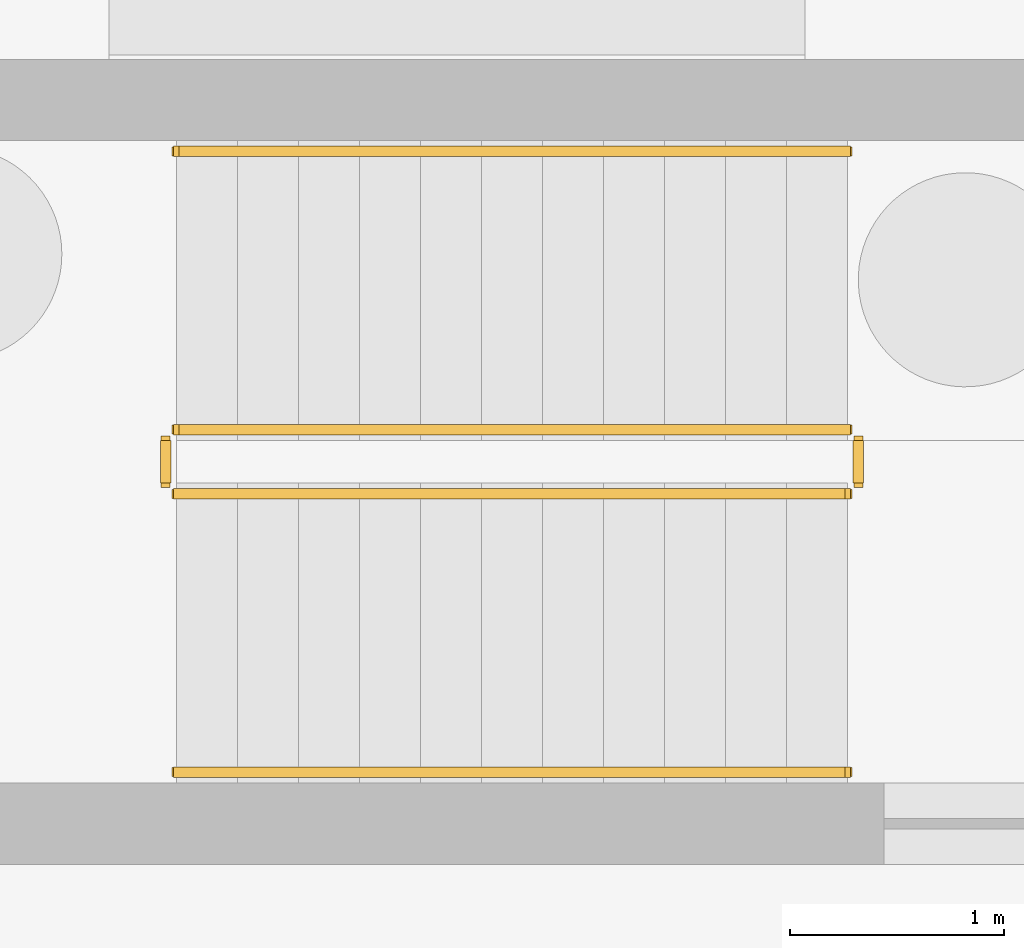
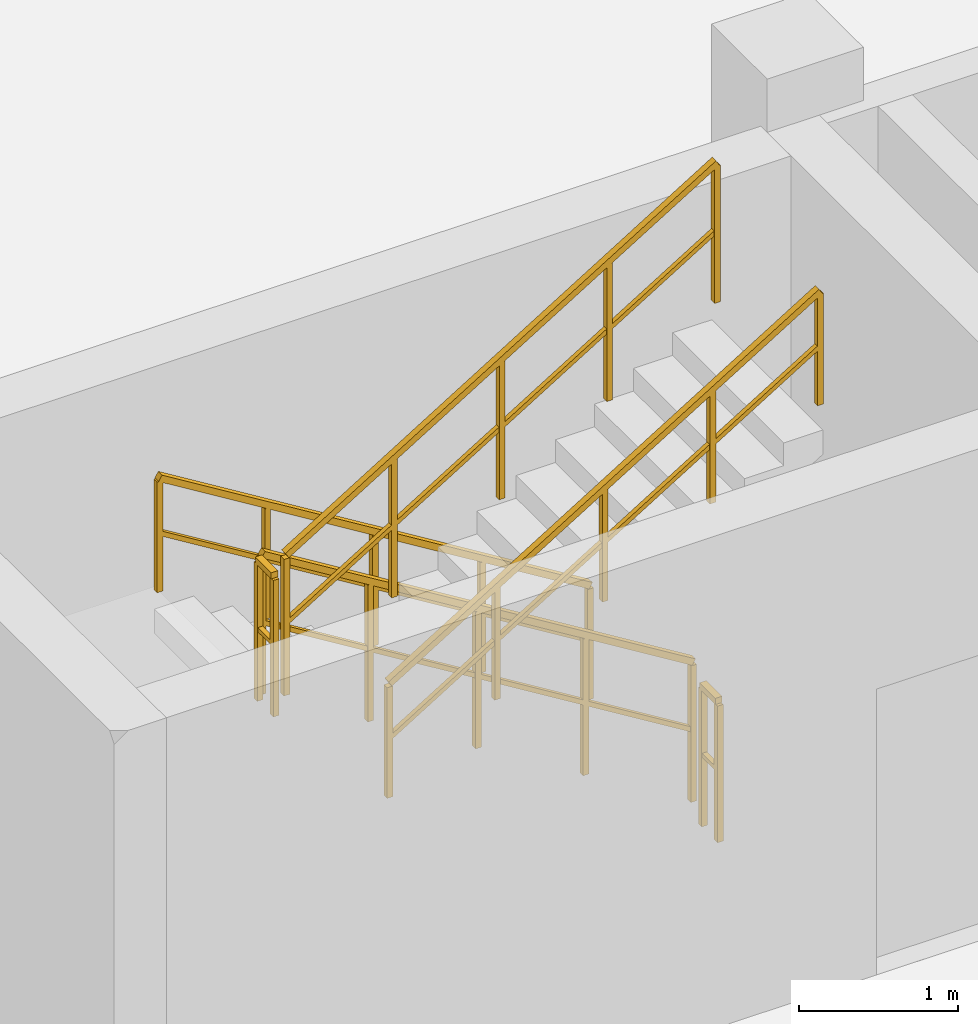
# One storey, part 54 of 56: 6 railings.
"""IFC4 building model written with IfcOpenShell, lengths in metres."""

import ifcopenshell
import ifcopenshell.guid

model = None  # the IFC model being written
_history = None  # IfcOwnerHistory: only IFC2X3 demands one
_inside = {}  # id of a spatial element -> (the spatial element, [elements in it])
_under = {}  # id of a project, library or spatial element -> (it, [spatial elements below it])
_declared = {}  # id of a project -> (the project, [libraries it declares])
_typed = {}  # id of a type object -> (the type object, [elements of that type])
_made_of = {}  # id of a material, layer set ... -> (it, [elements and type objects made of it])


def new_model(schema):
    """Start an empty IFC model of exactly this schema.

    Asked for "IFC4X3", IfcOpenShell would pick the latest addendum, in which some entities
    have other attributes; the version numbers below select the first issue.
    IFC2X3 requires an IfcOwnerHistory on every rooted entity: one is made here for all.
    """
    global model, _history
    if schema == "IFC4X3":
        model = ifcopenshell.file(schema_version=(4, 3, 0, 0))
    else:
        model = ifcopenshell.file(schema=schema)
    _inside.clear()
    _under.clear()
    _declared.clear()
    _typed.clear()
    _made_of.clear()
    _history = None
    if model.schema == "IFC2X3":
        org = make("IfcOrganization", Name="unknown")
        user = make(
            "IfcPersonAndOrganization",
            ThePerson=make("IfcPerson", FamilyName="unknown"),
            TheOrganization=org,
        )
        app = make(
            "IfcApplication",
            ApplicationDeveloper=org,
            Version="unknown",
            ApplicationFullName="unknown",
            ApplicationIdentifier="unknown",
        )
        _history = make(
            "IfcOwnerHistory",
            OwningUser=user,
            OwningApplication=app,
            ChangeAction="ADDED",
            CreationDate=0,
        )
    return model


def make(cls, **values):
    """One entity of the class cls with the attributes given. An attribute that is None is left unset."""
    return model.create_entity(
        cls, **{name: value for name, value in values.items() if value is not None}
    )


def rooted(cls, **values):
    """An entity with a GlobalId (a new one), such as an element, a storey or a relation."""
    return make(cls, GlobalId=ifcopenshell.guid.new(), OwnerHistory=_history, **values)


def si_unit(unit_type, name, prefix=None):
    """IfcSIUnit, for example si_unit("LENGTHUNIT", "METRE", prefix="MILLI")."""
    return make("IfcSIUnit", UnitType=unit_type, Prefix=prefix, Name=name)


def assignment(units):
    """IfcUnitAssignment: the units of a project."""
    return None if units is None else make("IfcUnitAssignment", Units=units)


def point(xyz):
    """IfcCartesianPoint."""
    return None if xyz is None else make("IfcCartesianPoint", Coordinates=xyz)


def direction(xyz):
    """IfcDirection."""
    return None if xyz is None else make("IfcDirection", DirectionRatios=xyz)


def frame(location, z_axis=None, x_axis=None):
    """IfcAxis2Placement3D, a coordinate frame: its origin and axes. An axis left out is left unset."""
    return make(
        "IfcAxis2Placement3D",
        Location=point(location),
        Axis=direction(z_axis),
        RefDirection=direction(x_axis),
    )


def frame_2d(location, x_axis=None):
    """IfcAxis2Placement2D, a coordinate frame in the plane: its origin and x axis."""
    return make(
        "IfcAxis2Placement2D", Location=point(location), RefDirection=direction(x_axis)
    )


def origin():
    """The frame at (0, 0, 0) with its axes left unset."""
    return frame((0.0, 0.0, 0.0))


def origin_2d():
    """The frame at (0, 0) in the plane with its x axis left unset."""
    return frame_2d((0.0, 0.0))


def place(relative_to, where):
    """IfcLocalPlacement: puts the frame where relative to a parent placement (None: the world)."""
    return make(
        "IfcLocalPlacement", PlacementRelTo=relative_to, RelativePlacement=where
    )


def context(
    kind, dimensions, precision=None, world=None, true_north=None, identifier=None
):
    """IfcGeometricRepresentationContext, for example the 3D "Model" context."""
    return make(
        "IfcGeometricRepresentationContext",
        ContextIdentifier=identifier,
        ContextType=kind,
        CoordinateSpaceDimension=dimensions,
        Precision=precision,
        WorldCoordinateSystem=world,
        TrueNorth=true_north,
    )


def subcontext(parent, identifier, kind, view, scale=None):
    """IfcGeometricRepresentationSubContext, for example "Body" below "Model"."""
    return make(
        "IfcGeometricRepresentationSubContext",
        ContextIdentifier=identifier,
        ContextType=kind,
        ParentContext=parent,
        TargetScale=scale,
        TargetView=view,
    )


def project(units=None, contexts=None):
    """IfcProject with its units and contexts."""
    return rooted(
        "IfcProject",
        Name="project",
        RepresentationContexts=contexts,
        UnitsInContext=assignment(units),
    )


def spatial(cls, under=None, at=None, **own):
    """A site, building, storey or space (cls), placed at a placement, below another one or the project."""
    s = rooted(cls, ObjectPlacement=at, **own)
    if under is not None:
        _under.setdefault(under.id(), (under, []))[1].append(s)
    return s


def profile(cls, at=None, kind="AREA", **sizes):
    """A parametric profile (cls). Its sizes go by their IFC names, for example OverallWidth=200.0."""
    return make(cls, ProfileType=kind, Position=at, **sizes)


def rectangle(**sizes):
    """IfcRectangleProfileDef."""
    return profile("IfcRectangleProfileDef", **sizes)


def extrude(swept, where, along, depth):
    """IfcExtrudedAreaSolid: the profile swept, set in the frame where, extruded along a direction by depth."""
    return make(
        "IfcExtrudedAreaSolid",
        SweptArea=swept,
        Position=where,
        ExtrudedDirection=direction(along),
        Depth=depth,
    )


def shape(context_of_items, identifier, shape_type, items):
    """IfcShapeRepresentation: the items that make up one representation, for example the "Body"."""
    return make(
        "IfcShapeRepresentation",
        ContextOfItems=context_of_items,
        RepresentationIdentifier=identifier,
        RepresentationType=shape_type,
        Items=items,
    )


def material(Name=None, Category=None):
    """IfcMaterial."""
    return make("IfcMaterial", Name=Name, Category=Category)


def made_of(thing, what):
    """Note that an element or type object is made of a material, layer set ...; save() writes the relation."""
    if what is not None:
        _made_of.setdefault(what.id(), (what, []))[1].append(thing)
    return thing


def type_object(cls, material=None, **own):
    """A type object (cls), such as IfcWallType, which elements share."""
    return made_of(rooted(cls, **own), material)


def element(
    cls,
    number,
    at=None,
    inside=None,
    cuts=None,
    type_object=None,
    material=None,
    context=None,
    identifier="Body",
    shape_type=None,
    held_by="IfcProductDefinitionShape",
    body=None,
    shapes=None,
    **own,
):
    """One element of the class cls, such as IfcWall. Its Tag is "e" and its number.

    at: its placement. inside: the storey or other place that contains it. cuts: it is an
    opening in that element (IfcRelVoidsElement). A single representation is given by context,
    identifier, shape_type and body (its items); several are given by shapes. held_by: the class
    of the entity that holds the representations. save() writes the other relations.
    """
    e = rooted(cls, Tag="e%d" % number, ObjectPlacement=at, **own)
    if body is not None:
        shapes = [shape(context, identifier, shape_type, body)]
    if shapes is not None:
        e.Representation = make(held_by, Representations=shapes)
    if inside is not None:
        _inside.setdefault(inside.id(), (inside, []))[1].append(e)
    if cuts is not None:
        rooted(
            "IfcRelVoidsElement", RelatingBuildingElement=cuts, RelatedOpeningElement=e
        )
    if type_object is not None:
        _typed.setdefault(type_object.id(), (type_object, []))[1].append(e)
    return made_of(e, material)


def aggregate(whole, parts):
    """IfcRelAggregates: a whole, such as a stair, and the parts it consists of."""
    return rooted("IfcRelAggregates", RelatingObject=whole, RelatedObjects=parts)


def save(model, path):
    """Write the relations noted so far, then the file.

    IfcRelAggregates (storeys below a building ...), IfcRelContainedInSpatialStructure (elements
    in a storey), IfcRelDefinesByType, IfcRelAssociatesMaterial and IfcRelDeclares: one each for
    every whole, place, type object, material and project.
    """
    for whole, parts in _under.values():
        aggregate(whole, parts)
    for where, things in _inside.values():
        rooted(
            "IfcRelContainedInSpatialStructure",
            RelatedElements=things,
            RelatingStructure=where,
        )
    for kind, things in _typed.values():
        rooted("IfcRelDefinesByType", RelatedObjects=things, RelatingType=kind)
    for what, things in _made_of.values():
        rooted("IfcRelAssociatesMaterial", RelatedObjects=things, RelatingMaterial=what)
    for by, libraries in _declared.values():
        rooted("IfcRelDeclares", RelatingContext=by, RelatedDefinitions=libraries)
    model.write(path)


model = new_model("IFC4")

# Units and contexts
model_context = context("Model", 3, precision=1e-05, world=origin(), true_north=direction((0.0, 1.0)))
body_context = subcontext(model_context, "Body", "Model", "MODEL_VIEW")
ifc_project = project(units=[si_unit("LENGTHUNIT", "METRE"), si_unit("AREAUNIT", "SQUARE_METRE"), si_unit("VOLUMEUNIT", "CUBIC_METRE"), si_unit("PLANEANGLEUNIT", "RADIAN"), si_unit("MASSUNIT", "GRAM", prefix="KILO")], contexts=[model_context])

# Site, building, storey
site_placement = place(None, origin())
site = spatial("IfcSite", under=ifc_project, at=site_placement, CompositionType="ELEMENT")
building_placement = place(site_placement, origin())
building = spatial("IfcBuilding", under=site, at=building_placement, Name="Suanplinth Sawtooth Commons", CompositionType="ELEMENT")
storey_placement = place(building_placement, frame((0.0, 0.0, -4.199951171875)))
storey = spatial("IfcBuildingStorey", under=building, at=storey_placement, Name="B1", CompositionType="ELEMENT", Elevation=-4.199951171875)

# Railings
ifc_material = material(Name="Stainless steel Grade 304", Category="steel")
railing_type_1 = type_object("IfcRailingType", Name="GR-04", PredefinedType="GUARDRAIL", material=ifc_material)
railing_1_placement = place(storey_placement, frame((142.14990234375, 12.39990234375, 0.175048828125)))
element("IfcRailing", 1, at=railing_1_placement, inside=storey, type_object=railing_type_1, Name="B1 ST-S1 Guard 1", PredefinedType="GUARDRAIL", context=body_context, shape_type="SweptSolid", body=[
    extrude(rectangle(XDim=0.048095703125, YDim=0.048095703125, at=origin_2d()), frame((0.0, 0.0, 1.076171875), z_axis=(-0.852195625947, 0.0, 0.523223293744), x_axis=(0.0, -1.0, 0.0)), (0.0, 0.0, 1.0), 3.6787109375),
    extrude(rectangle(XDim=0.03369140625, YDim=0.03369140625, at=origin_2d()), frame((0.0, 0.0, 0.550048828125), z_axis=(-0.852195625947, 0.0, 0.523223293744), x_axis=(0.0, -1.0, 0.0)), (0.0, 0.0, 1.0), 3.6787109375),
    extrude(rectangle(XDim=0.0419921875, YDim=0.0419921875, at=origin_2d()), origin(), (0.0, 0.0, 1.0), 1.052001953125),
    extrude(rectangle(XDim=0.0419921875, YDim=0.0419921875, at=origin_2d()), frame((-0.78369140625, 0.0, 0.481201171875)), (0.0, 0.0, 1.0), 1.052001953125),
    extrude(rectangle(XDim=0.0419921875, YDim=0.0419921875, at=origin_2d()), frame((-1.5673828125, 0.0, 0.96240234375)), (0.0, 0.0, 1.0), 1.052001953125),
    extrude(rectangle(XDim=0.0419921875, YDim=0.0419921875, at=origin_2d()), frame((-2.351318359375, 0.0, 1.443603515625)), (0.0, 0.0, 1.0), 1.052001953125),
    extrude(rectangle(XDim=0.0419921875, YDim=0.0419921875, at=origin_2d()), frame((-3.135009765625, 0.0, 1.9248046875)), (0.0, 0.0, 1.0), 1.052001953125),
])
railing_2_placement = place(storey_placement, frame((138.965087890625, 12.35009765625, 2.099853515625)))
element("IfcRailing", 2, at=railing_2_placement, inside=storey, type_object=railing_type_1, Name="B1 ST-S1 Guard 2", PredefinedType="GUARDRAIL", context=body_context, shape_type="SweptSolid", body=[
    extrude(rectangle(XDim=0.048095703125, YDim=0.048095703125, at=origin_2d()), frame((0.0, 0.0, 1.076171875), z_axis=(0.0, -1.0, 0.0), x_axis=(1.0, 0.0, 0.0)), (0.0, 0.0, 1.0), 0.2001953125),
    extrude(rectangle(XDim=0.03369140625, YDim=0.03369140625, at=origin_2d()), frame((0.0, 0.0, 0.550048828125), z_axis=(0.0, -1.0, 0.0), x_axis=(1.0, 0.0, 0.0)), (0.0, 0.0, 1.0), 0.2001953125),
    extrude(rectangle(XDim=0.0419921875, YDim=0.0419921875, at=origin_2d()), origin(), (0.0, 0.0, 1.0), 1.052001953125),
    extrude(rectangle(XDim=0.0419921875, YDim=0.0419921875, at=origin_2d()), frame((0.0, -0.2001953125, 0.0)), (0.0, 0.0, 1.0), 1.052001953125),
])
railing_3_placement = place(storey_placement, frame((139.014892578125, 12.10009765625, 2.27490234375)))
element("IfcRailing", 3, at=railing_3_placement, inside=storey, type_object=railing_type_1, Name="B1 ST-S1 Guard 3", PredefinedType="GUARDRAIL", context=body_context, shape_type="SweptSolid", body=[
    extrude(rectangle(XDim=0.048095703125, YDim=0.048095703125, at=origin_2d()), frame((0.0, 0.0, 1.076171875), z_axis=(0.852166034122, 0.0, 0.523271488128), x_axis=(0.0, 1.0, 0.0)), (0.0, 0.0, 1.0), 3.678955078125),
    extrude(rectangle(XDim=0.03369140625, YDim=0.03369140625, at=origin_2d()), frame((0.0, 0.0, 0.550048828125), z_axis=(0.852166034122, 0.0, 0.523271488128), x_axis=(0.0, 1.0, 0.0)), (0.0, 0.0, 1.0), 3.678955078125),
    extrude(rectangle(XDim=0.0419921875, YDim=0.0419921875, at=origin_2d()), origin(), (0.0, 0.0, 1.0), 1.052001953125),
    extrude(rectangle(XDim=0.0419921875, YDim=0.0419921875, at=origin_2d()), frame((0.78369140625, 0.0, 0.481201171875)), (0.0, 0.0, 1.0), 1.052001953125),
    extrude(rectangle(XDim=0.0419921875, YDim=0.0419921875, at=origin_2d()), frame((1.5673828125, 0.0, 0.96240234375)), (0.0, 0.0, 1.0), 1.052001953125),
    extrude(rectangle(XDim=0.0419921875, YDim=0.0419921875, at=origin_2d()), frame((2.351318359375, 0.0, 1.44384765625)), (0.0, 0.0, 1.0), 1.052001953125),
    extrude(rectangle(XDim=0.0419921875, YDim=0.0419921875, at=origin_2d()), frame((3.135009765625, 0.0, 1.925048828125)), (0.0, 0.0, 1.0), 1.052001953125),
])
railing_4_placement = place(storey_placement, frame((142.199951171875, 12.35009765625, 0.0)))
element("IfcRailing", 4, at=railing_4_placement, inside=storey, type_object=railing_type_1, Name="B1 ST-S1 Guard 4", PredefinedType="GUARDRAIL", context=body_context, shape_type="SweptSolid", body=[
    extrude(rectangle(XDim=0.048095703125, YDim=0.048095703125, at=origin_2d()), frame((0.0, 0.0, 1.076171875), z_axis=(0.0, -1.0, 0.0), x_axis=(1.0, 0.0, 0.0)), (0.0, 0.0, 1.0), 0.2001953125),
    extrude(rectangle(XDim=0.03369140625, YDim=0.03369140625, at=origin_2d()), frame((0.0, 0.0, 0.550048828125), z_axis=(0.0, -1.0, 0.0), x_axis=(1.0, 0.0, 0.0)), (0.0, 0.0, 1.0), 0.2001953125),
    extrude(rectangle(XDim=0.0419921875, YDim=0.0419921875, at=origin_2d()), origin(), (0.0, 0.0, 1.0), 1.052001953125),
    extrude(rectangle(XDim=0.0419921875, YDim=0.0419921875, at=origin_2d()), frame((0.0, -0.2001953125, 0.0)), (0.0, 0.0, 1.0), 1.052001953125),
])
railing_type_2 = type_object("IfcRailingType", Name="HR-01", PredefinedType="HANDRAIL", material=ifc_material)
railing_5_placement = place(storey_placement, frame((142.14990234375, 13.699951171875, 0.175048828125)))
element("IfcRailing", 5, at=railing_5_placement, inside=storey, type_object=railing_type_2, Name="B1 ST-S1 Handrail 1", PredefinedType="HANDRAIL", context=body_context, shape_type="SweptSolid", body=[
    extrude(rectangle(XDim=0.048095703125, YDim=0.048095703125, at=origin_2d()), frame((0.0, 0.0, 0.8759765625), z_axis=(-0.852195625947, 0.0, 0.523223293744), x_axis=(0.0, -1.0, 0.0)), (0.0, 0.0, 1.0), 3.6787109375),
    extrude(rectangle(XDim=0.03369140625, YDim=0.03369140625, at=origin_2d()), frame((0.0, 0.0, 0.449951171875), z_axis=(-0.852195625947, 0.0, 0.523223293744), x_axis=(0.0, -1.0, 0.0)), (0.0, 0.0, 1.0), 3.6787109375),
    extrude(rectangle(XDim=0.0419921875, YDim=0.0419921875, at=origin_2d()), origin(), (0.0, 0.0, 1.0), 0.851806640625),
    extrude(rectangle(XDim=0.0419921875, YDim=0.0419921875, at=origin_2d()), frame((-0.78369140625, 0.0, 0.481201171875)), (0.0, 0.0, 1.0), 0.851806640625),
    extrude(rectangle(XDim=0.0419921875, YDim=0.0419921875, at=origin_2d()), frame((-1.5673828125, 0.0, 0.96240234375)), (0.0, 0.0, 1.0), 0.851806640625),
    extrude(rectangle(XDim=0.0419921875, YDim=0.0419921875, at=origin_2d()), frame((-2.351318359375, 0.0, 1.443603515625)), (0.0, 0.0, 1.0), 0.851806640625),
    extrude(rectangle(XDim=0.0419921875, YDim=0.0419921875, at=origin_2d()), frame((-3.135009765625, 0.0, 1.9248046875)), (0.0, 0.0, 1.0), 0.851806640625),
])
railing_6_placement = place(storey_placement, frame((139.014892578125, 10.800048828125, 2.27490234375)))
element("IfcRailing", 6, at=railing_6_placement, inside=storey, type_object=railing_type_2, Name="B1 ST-S1 Handrail 2", PredefinedType="HANDRAIL", context=body_context, shape_type="SweptSolid", body=[
    extrude(rectangle(XDim=0.048095703125, YDim=0.048095703125, at=origin_2d()), frame((0.0, 0.0, 0.8759765625), z_axis=(0.852166034122, 0.0, 0.523271488128), x_axis=(0.0, 1.0, 0.0)), (0.0, 0.0, 1.0), 3.678955078125),
    extrude(rectangle(XDim=0.03369140625, YDim=0.03369140625, at=origin_2d()), frame((0.0, 0.0, 0.449951171875), z_axis=(0.852166034122, 0.0, 0.523271488128), x_axis=(0.0, 1.0, 0.0)), (0.0, 0.0, 1.0), 3.678955078125),
    extrude(rectangle(XDim=0.0419921875, YDim=0.0419921875, at=origin_2d()), origin(), (0.0, 0.0, 1.0), 0.851806640625),
    extrude(rectangle(XDim=0.0419921875, YDim=0.0419921875, at=origin_2d()), frame((0.78369140625, 0.0, 0.481201171875)), (0.0, 0.0, 1.0), 0.851806640625),
    extrude(rectangle(XDim=0.0419921875, YDim=0.0419921875, at=origin_2d()), frame((1.5673828125, 0.0, 0.96240234375)), (0.0, 0.0, 1.0), 0.851806640625),
    extrude(rectangle(XDim=0.0419921875, YDim=0.0419921875, at=origin_2d()), frame((2.351318359375, 0.0, 1.44384765625)), (0.0, 0.0, 1.0), 0.851806640625),
    extrude(rectangle(XDim=0.0419921875, YDim=0.0419921875, at=origin_2d()), frame((3.135009765625, 0.0, 1.925048828125)), (0.0, 0.0, 1.0), 0.851806640625),
])

save(model, "model.ifc")
